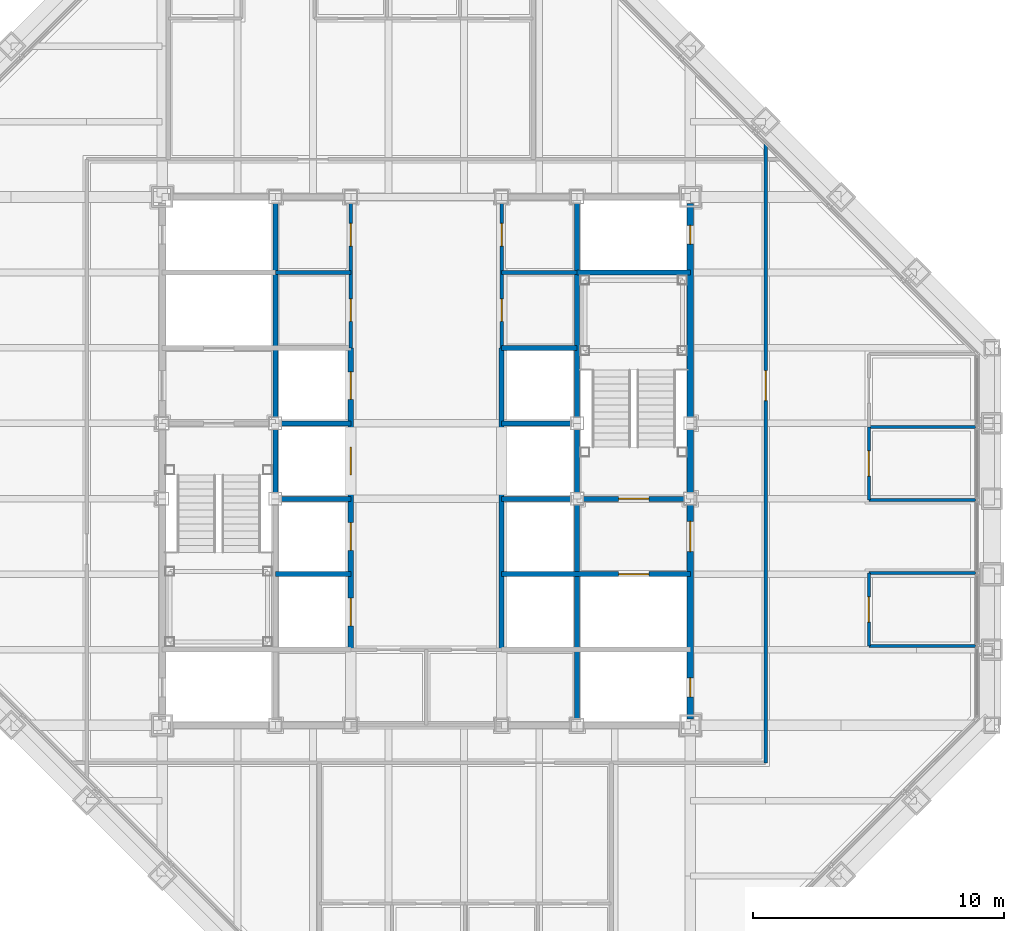
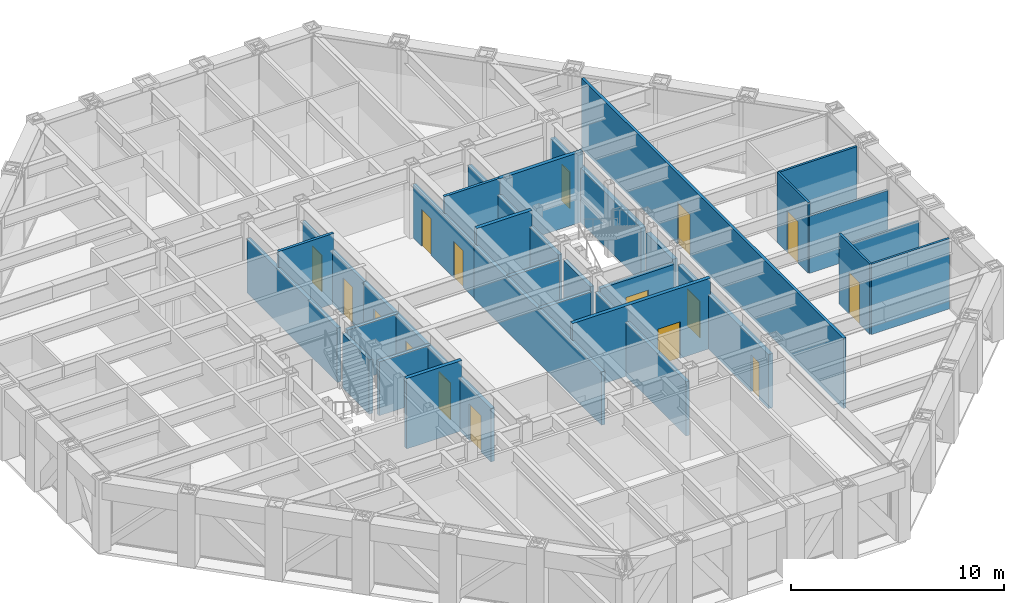
# One storey, part 12 of 16: 30 walls, 16 doors, 16 openings.
"""IFC4 building model written with IfcOpenShell, lengths in metres."""

from ifc_helpers import new_model, si_unit, direction, frame, frame_2d, origin, place, context, subcontext, project, spatial, rectangle, extrude, material, layer, layer_set, type_object, element, fill, save


model = new_model("IFC4")

# Units and contexts
model_context = context("Model", 3, precision=1e-05, world=origin(), true_north=direction((0.0, 1.0)))
body_context = subcontext(model_context, "Body", "Model", "MODEL_VIEW")
ifc_project = project(units=[si_unit("LENGTHUNIT", "METRE"), si_unit("AREAUNIT", "SQUARE_METRE"), si_unit("VOLUMEUNIT", "CUBIC_METRE"), si_unit("PLANEANGLEUNIT", "RADIAN"), si_unit("MASSUNIT", "GRAM", prefix="KILO")], contexts=[model_context])

# Site, building, storey
site_placement = place(None, origin())
site = spatial("IfcSite", under=ifc_project, at=site_placement, CompositionType="ELEMENT")
building_placement = place(site_placement, origin())
building = spatial("IfcBuilding", under=site, at=building_placement, Name="Chuquiago Exchange Tower", CompositionType="ELEMENT")
storey_placement = place(building_placement, frame((0.0, 0.0, 247.5)))
storey = spatial("IfcBuildingStorey", under=building, at=storey_placement, Name="L55", CompositionType="ELEMENT", Elevation=247.5)

# Wall, openings, doors
ifc_material_1 = material(Name="Concrete masonry, fully grouted", Category="masonry")
ifc_layer_1 = layer(ifc_material_1, 0.25)
ifc_layer_set_1 = layer_set([ifc_layer_1], Name="W1 core wall 250")
wall_type_1 = type_object("IfcWallType", Name="W1 core wall 250", PredefinedType="SOLIDWALL", material=ifc_layer_set_1)
wall_1_placement = place(storey_placement, frame((33.0, 12.25, 0.0), z_axis=(0.0, 0.0, 1.0), x_axis=(0.0, 1.0, 0.0)))
wall_1 = element("IfcWall", 1, at=wall_1_placement, inside=storey, type_object=wall_type_1, Name="CW-L55-25-0", PredefinedType="SOLIDWALL", context=body_context, shape_type="SweptSolid", body=[
    extrude(rectangle(XDim=8.5, YDim=0.25, at=frame_2d((4.25, 0.0))), origin(), (0.0, 0.0, 1.0), 3.11279296875),
])
opening_1_placement = place(wall_1_placement, frame((6.64990234375, 0.0, 0.0)))
opening_1 = element("IfcOpeningElement", 2, at=opening_1_placement, cuts=wall_1, Name="Opening L55-004", PredefinedType="OPENING", context=body_context, shape_type="SweptSolid", body=[
    extrude(rectangle(XDim=1.199951171875, YDim=2.10009765625, at=frame_2d((0.60009765625, 1.050048828125))), frame((0.0, 0.135009765625, 0.0), z_axis=(0.0, -1.0, 0.0), x_axis=(1.0, 0.0, 0.0)), (0.0, 0.0, 1.0), 0.27001953125),
])
opening_2_placement = place(wall_1_placement, frame((0.875, 0.0, 0.0)))
opening_2 = element("IfcOpeningElement", 3, at=opening_2_placement, cuts=wall_1, Name="Opening L55-009", PredefinedType="OPENING", context=body_context, shape_type="SweptSolid", body=[
    extrude(rectangle(XDim=0.75, YDim=2.10009765625, at=frame_2d((0.375, 1.050048828125))), frame((0.0, 0.135009765625, 0.0), z_axis=(0.0, -1.0, 0.0), x_axis=(1.0, 0.0, 0.0)), (0.0, 0.0, 1.0), 0.27001953125),
])
ifc_material_2 = material(Name="Steel door, painted", Category="steel")
door_type_1 = type_object("IfcDoorType", Name="D5 firefighting lobby door 1200x2100", OperationType="SINGLE_SWING_LEFT", PredefinedType="DOOR", material=ifc_material_2)
door_1_placement = place(opening_1_placement, origin())
door_1 = element("IfcDoor", 4, at=door_1_placement, inside=storey, type_object=door_type_1, Name="Firefighting lobby 2 door", OperationType="SINGLE_SWING_RIGHT", OverallHeight=2.10009765625, OverallWidth=1.199951171875, PredefinedType="DOOR", context=body_context, shape_type="SweptSolid", body=[
    extrude(rectangle(XDim=1.199951171875, YDim=2.10009765625, at=frame_2d((0.60009765625, 1.050048828125))), frame((0.0, 0.02490234375, 0.0), z_axis=(0.0, -1.0, 0.0), x_axis=(1.0, 0.0, 0.0)), (0.0, 0.0, 1.0), 0.050048828125),
])
fill(opening_1, door_1)
ifc_material_3 = material(Name="Steel door, painted", Category="steel")
door_type_2 = type_object("IfcDoorType", Name="D6 riser access door 750x2100", OperationType="SINGLE_SWING_LEFT", PredefinedType="DOOR", material=ifc_material_3)
door_2_placement = place(opening_2_placement, frame((0.75, 0.0, 0.0), z_axis=(0.0, 0.0, 1.0), x_axis=(-1.0, 0.0, 0.0)))
door_2 = element("IfcDoor", 5, at=door_2_placement, inside=storey, type_object=door_type_2, Name="Riser RE1 door", OperationType="SINGLE_SWING_RIGHT", OverallHeight=2.10009765625, OverallWidth=0.75, PredefinedType="DOOR", context=body_context, shape_type="SweptSolid", body=[
    extrude(rectangle(XDim=0.75, YDim=2.10009765625, at=frame_2d((0.375, 1.050048828125))), frame((0.0, 0.02490234375, 0.0), z_axis=(0.0, -1.0, 0.0), x_axis=(1.0, 0.0, 0.0)), (0.0, 0.0, 1.0), 0.050048828125),
])
fill(opening_2, door_2)

# Wall
wall_2_placement = place(storey_placement, frame((33.0, 21.25, 0.0), z_axis=(0.0, 0.0, 1.0), x_axis=(0.0, 1.0, 0.0)))
element("IfcWall", 6, at=wall_2_placement, inside=storey, type_object=wall_type_1, Name="CW-L55-25-1", PredefinedType="SOLIDWALL", context=body_context, shape_type="SweptSolid", body=[
    extrude(rectangle(XDim=2.5, YDim=0.25, at=frame_2d((1.25, 0.0))), origin(), (0.0, 0.0, 1.0), 3.11279296875),
])

# Wall, opening, door
wall_3_placement = place(storey_placement, frame((33.0, 24.25, 0.0), z_axis=(0.0, 0.0, 1.0), x_axis=(0.0, 1.0, 0.0)))
wall_3 = element("IfcWall", 7, at=wall_3_placement, inside=storey, type_object=wall_type_1, Name="CW-L55-25-2", PredefinedType="SOLIDWALL", context=body_context, shape_type="SweptSolid", body=[
    extrude(rectangle(XDim=8.5, YDim=0.25, at=frame_2d((4.25, 0.0))), origin(), (0.0, 0.0, 1.0), 3.11279296875),
])
opening_3_placement = place(wall_3_placement, frame((6.875, 0.0, 0.0)))
opening_3 = element("IfcOpeningElement", 8, at=opening_3_placement, cuts=wall_3, Name="Opening L55-010", PredefinedType="OPENING", context=body_context, shape_type="SweptSolid", body=[
    extrude(rectangle(XDim=0.75, YDim=2.10009765625, at=frame_2d((0.375, 1.050048828125))), frame((0.0, 0.135009765625, 0.0), z_axis=(0.0, -1.0, 0.0), x_axis=(1.0, 0.0, 0.0)), (0.0, 0.0, 1.0), 0.27001953125),
])
door_3_placement = place(opening_3_placement, frame((0.75, 0.0, 0.0), z_axis=(0.0, 0.0, 1.0), x_axis=(-1.0, 0.0, 0.0)))
door_3 = element("IfcDoor", 9, at=door_3_placement, inside=storey, type_object=door_type_2, Name="Riser RE2 door", OperationType="SINGLE_SWING_LEFT", OverallHeight=2.10009765625, OverallWidth=0.75, PredefinedType="DOOR", context=body_context, shape_type="SweptSolid", body=[
    extrude(rectangle(XDim=0.75, YDim=2.10009765625, at=frame_2d((0.375, 1.050048828125))), frame((0.0, 0.02490234375, 0.0), z_axis=(0.0, -1.0, 0.0), x_axis=(1.0, 0.0, 0.0)), (0.0, 0.0, 1.0), 0.050048828125),
])
fill(opening_3, door_3)

ifc_material_4 = material(Name="Gypsum board on steel studs, acoustic insulation", Category="steel")
ifc_layer_2 = layer(ifc_material_4, 0.14990234375)
ifc_layer_set_2 = layer_set([ifc_layer_2], Name="W11 corridor wall 150")
wall_type_2 = type_object("IfcWallType", Name="W11 corridor wall 150", PredefinedType="PARTITIONING", material=ifc_layer_set_2)
wall_4_placement = place(storey_placement, frame((36.0, 10.5, 0.0), z_axis=(0.0, 0.0, 1.0), x_axis=(0.0, 1.0, 0.0)))
wall_4 = element("IfcWall", 10, at=wall_4_placement, inside=storey, type_object=wall_type_2, Name="PW-L55-CE", PredefinedType="PARTITIONING", context=body_context, shape_type="SweptSolid", body=[
    extrude(rectangle(XDim=24.614501953125, YDim=0.14990234375, at=frame_2d((12.30712890625, 0.0))), origin(), (0.0, 0.0, 1.0), 4.0400390625),
])
opening_4_placement = place(wall_4_placement, frame((14.39990234375, 0.0, 0.0)))
opening_4 = element("IfcOpeningElement", 11, at=opening_4_placement, cuts=wall_4, Name="Opening L55-040", PredefinedType="OPENING", context=body_context, shape_type="SweptSolid", body=[
    extrude(rectangle(XDim=1.199951171875, YDim=2.39990234375, at=frame_2d((0.60009765625, 1.199951171875))), frame((0.0, 0.0849609375, 0.0), z_axis=(0.0, -1.0, 0.0), x_axis=(1.0, 0.0, 0.0)), (0.0, 0.0, 1.0), 0.169921875),
])
ifc_material_5 = material(Name="Timber door, laminate faced", Category="wood")
door_type_3 = type_object("IfcDoorType", Name="D13 suite entrance door 1200x2400", OperationType="SINGLE_SWING_LEFT", PredefinedType="DOOR", material=ifc_material_5)
door_4_placement = place(opening_4_placement, frame((1.199951171875, 0.0, 0.0), z_axis=(0.0, 0.0, 1.0), x_axis=(-1.0, 0.0, 0.0)))
door_4 = element("IfcDoor", 12, at=door_4_placement, inside=storey, type_object=door_type_3, Name="East suite entrance door", OperationType="SINGLE_SWING_LEFT", OverallHeight=2.39990234375, OverallWidth=1.199951171875, PredefinedType="DOOR", context=body_context, shape_type="SweptSolid", body=[
    extrude(rectangle(XDim=1.199951171875, YDim=2.39990234375, at=frame_2d((0.60009765625, 1.199951171875))), frame((0.0, 0.02490234375, 0.0), z_axis=(0.0, -1.0, 0.0), x_axis=(1.0, 0.0, 0.0)), (0.0, 0.0, 1.0), 0.050048828125),
])
fill(opening_4, door_4)

# Walls
ifc_material_6 = material(Name="Concrete masonry, fully grouted", Category="masonry")
ifc_layer_3 = layer(ifc_material_6, 0.199951171875)
ifc_layer_set_3 = layer_set([ifc_layer_3], Name="W2 shaft wall 200")
wall_type_3 = type_object("IfcWallType", Name="W2 shaft wall 200", PredefinedType="SOLIDWALL", material=ifc_layer_set_3)
for number, where, z_axis, x_axis, name in (
    (13, (16.75, 24.0, 0.0), (0.0, 0.0, 1.0), (1.0, 0.0, 0.0), "CW-L55-05-1"),
    (14, (25.5, 24.0, 0.0), (0.0, 0.0, 1.0), (1.0, 0.0, 0.0), "CW-L55-06-0"),
):
    element("IfcWall", number, at=place(storey_placement, frame(where, z_axis=z_axis, x_axis=x_axis)), inside=storey, type_object=wall_type_3, Name=name, PredefinedType="SOLIDWALL", context=body_context, shape_type="SweptSolid", body=[
        extrude(rectangle(XDim=2.75, YDim=0.199951171875, at=frame_2d((1.375, 0.0))), origin(), (0.0, 0.0, 1.0), 3.090087890625),
    ])
wall_5_placement = place(storey_placement, frame((25.5, 27.0, 0.0), z_axis=(0.0, 0.0, 1.0), x_axis=(1.0, 0.0, 0.0)))
element("IfcWall", 15, at=wall_5_placement, inside=storey, type_object=wall_type_3, Name="CW-L55-08-0", PredefinedType="SOLIDWALL", context=body_context, shape_type="SweptSolid", body=[
    extrude(rectangle(XDim=3.0, YDim=0.199951171875, at=frame_2d((1.5, 0.0))), origin(), (0.0, 0.0, 1.0), 4.0400390625),
])
wall_6_placement = place(storey_placement, frame((28.5, 30.0, 0.0), z_axis=(0.0, 0.0, 1.0), x_axis=(1.0, 0.0, 0.0)))
element("IfcWall", 16, at=wall_6_placement, inside=storey, type_object=wall_type_3, Name="CW-L55-10-0", PredefinedType="SOLIDWALL", context=body_context, shape_type="SweptSolid", body=[
    extrude(rectangle(XDim=4.5, YDim=0.199951171875, at=frame_2d((2.25, 0.0))), origin(), (0.0, 0.0, 1.0), 4.0400390625),
])
wall_7_placement = place(storey_placement, frame((16.5, 21.25, 0.0), z_axis=(0.0, 0.0, 1.0), x_axis=(0.0, 1.0, 0.0)))
element("IfcWall", 17, at=wall_7_placement, inside=storey, type_object=wall_type_3, Name="CW-L55-13-1", PredefinedType="SOLIDWALL", context=body_context, shape_type="SweptSolid", body=[
    extrude(rectangle(XDim=2.5, YDim=0.199951171875, at=frame_2d((1.25, 0.0))), origin(), (0.0, 0.0, 1.0), 3.11279296875),
])
wall_8_placement = place(storey_placement, frame((16.5, 24.25, 0.0), z_axis=(0.0, 0.0, 1.0), x_axis=(0.0, 1.0, 0.0)))
element("IfcWall", 18, at=wall_8_placement, inside=storey, type_object=wall_type_3, Name="CW-L55-13-2", PredefinedType="SOLIDWALL", context=body_context, shape_type="SweptSolid", body=[
    extrude(rectangle(XDim=8.5, YDim=0.199951171875, at=frame_2d((4.25, 0.0))), origin(), (0.0, 0.0, 1.0), 3.11279296875),
])
wall_9_placement = place(storey_placement, frame((16.5, 18.0, 0.0), z_axis=(0.0, 0.0, 1.0), x_axis=(1.0, 0.0, 0.0)))
element("IfcWall", 19, at=wall_9_placement, inside=storey, type_object=wall_type_3, Name="CW-L55-14-0", PredefinedType="SOLIDWALL", context=body_context, shape_type="SweptSolid", body=[
    extrude(rectangle(XDim=3.0, YDim=0.199951171875, at=frame_2d((1.5, 0.0))), origin(), (0.0, 0.0, 1.0), 4.0400390625),
])

# Wall, opening, door
wall_10_placement = place(storey_placement, frame((25.5, 18.0, 0.0), z_axis=(0.0, 0.0, 1.0), x_axis=(1.0, 0.0, 0.0)))
wall_10 = element("IfcWall", 20, at=wall_10_placement, inside=storey, type_object=wall_type_3, Name="CW-L55-15-0", PredefinedType="SOLIDWALL", context=body_context, shape_type="SweptSolid", body=[
    extrude(rectangle(XDim=7.5, YDim=0.199951171875, at=frame_2d((3.75, 0.0))), origin(), (0.0, 0.0, 1.0), 4.0400390625),
])
opening_5_placement = place(wall_10_placement, frame((4.64990234375, 0.0, 0.0)))
opening_5 = element("IfcOpeningElement", 21, at=opening_5_placement, cuts=wall_10, Name="Opening L55-006", PredefinedType="OPENING", context=body_context, shape_type="SweptSolid", body=[
    extrude(rectangle(XDim=1.199951171875, YDim=2.10009765625, at=frame_2d((0.60009765625, 1.050048828125))), frame((0.0, 0.10986328125, 0.0), z_axis=(0.0, -1.0, 0.0), x_axis=(1.0, 0.0, 0.0)), (0.0, 0.0, 1.0), 0.219970703125),
])
ifc_material_7 = material(Name="Stainless steel lift landing door", Category="steel")
door_type_4 = type_object("IfcDoorType", Name="LD2 firefighting lift landing door 1200x2100", OperationType="DOUBLE_DOOR_SLIDING", PredefinedType="DOOR", material=ifc_material_7)
door_5_placement = place(opening_5_placement, origin())
door_5 = element("IfcDoor", 22, at=door_5_placement, inside=storey, type_object=door_type_4, Name="Firefighting lift FL2 landing door", OperationType="DOUBLE_DOOR_SLIDING", OverallHeight=2.10009765625, OverallWidth=1.199951171875, PredefinedType="DOOR", context=body_context, shape_type="SweptSolid", body=[
    extrude(rectangle(XDim=1.199951171875, YDim=2.10009765625, at=frame_2d((0.60009765625, 1.050048828125))), frame((0.0, 0.02490234375, 0.0), z_axis=(0.0, -1.0, 0.0), x_axis=(1.0, 0.0, 0.0)), (0.0, 0.0, 1.0), 0.050048828125),
])
fill(opening_5, door_5)

# Walls
for number, where, z_axis, x_axis, name in (
    (23, (16.75, 21.0, 0.0), (0.0, 0.0, 1.0), (1.0, 0.0, 0.0), "CW-L55-16-0"),
    (24, (25.5, 21.0, 0.0), (0.0, 0.0, 1.0), (1.0, 0.0, 0.0), "CW-L55-17-0"),
):
    element("IfcWall", number, at=place(storey_placement, frame(where, z_axis=z_axis, x_axis=x_axis)), inside=storey, type_object=wall_type_3, Name=name, PredefinedType="SOLIDWALL", context=body_context, shape_type="SweptSolid", body=[
        extrude(rectangle(XDim=2.75, YDim=0.199951171875, at=frame_2d((1.375, 0.0))), origin(), (0.0, 0.0, 1.0), 3.090087890625),
    ])

# Wall, opening, door
wall_11_placement = place(storey_placement, frame((28.75, 21.0, 0.0), z_axis=(0.0, 0.0, 1.0), x_axis=(1.0, 0.0, 0.0)))
wall_11 = element("IfcWall", 25, at=wall_11_placement, inside=storey, type_object=wall_type_3, Name="CW-L55-17-1", PredefinedType="SOLIDWALL", context=body_context, shape_type="SweptSolid", body=[
    extrude(rectangle(XDim=4.0, YDim=0.199951171875, at=frame_2d((2.0, 0.0))), origin(), (0.0, 0.0, 1.0), 3.090087890625),
])
opening_6_placement = place(wall_11_placement, frame((1.39990234375, 0.0, 0.0)))
opening_6 = element("IfcOpeningElement", 26, at=opening_6_placement, cuts=wall_11, Name="Opening L55-003", PredefinedType="OPENING", context=body_context, shape_type="SweptSolid", body=[
    extrude(rectangle(XDim=1.199951171875, YDim=2.10009765625, at=frame_2d((0.60009765625, 1.050048828125))), frame((0.0, 0.10986328125, 0.0), z_axis=(0.0, -1.0, 0.0), x_axis=(1.0, 0.0, 0.0)), (0.0, 0.0, 1.0), 0.219970703125),
])
ifc_material_8 = material(Name="Steel door, painted", Category="steel")
door_type_5 = type_object("IfcDoorType", Name="D4 stair door 1200x2100", OperationType="SINGLE_SWING_LEFT", PredefinedType="DOOR", material=ifc_material_8)
door_6_placement = place(opening_6_placement, origin())
door_6 = element("IfcDoor", 27, at=door_6_placement, inside=storey, type_object=door_type_5, Name="Stair ST2 door", OperationType="SINGLE_SWING_LEFT", OverallHeight=2.10009765625, OverallWidth=1.199951171875, PredefinedType="DOOR", context=body_context, shape_type="SweptSolid", body=[
    extrude(rectangle(XDim=1.199951171875, YDim=2.10009765625, at=frame_2d((0.60009765625, 1.050048828125))), frame((0.0, 0.02490234375, 0.0), z_axis=(0.0, -1.0, 0.0), x_axis=(1.0, 0.0, 0.0)), (0.0, 0.0, 1.0), 0.050048828125),
])
fill(opening_6, door_6)

# Wall, openings, doors
wall_12_placement = place(storey_placement, frame((19.5, 15.0, 0.0), z_axis=(0.0, 0.0, 1.0), x_axis=(0.0, 1.0, 0.0)))
wall_12 = element("IfcWall", 28, at=wall_12_placement, inside=storey, type_object=wall_type_3, Name="CW-L55-19-0", PredefinedType="SOLIDWALL", context=body_context, shape_type="SweptSolid", body=[
    extrude(rectangle(XDim=12.0, YDim=0.199951171875, at=frame_2d((6.0, 0.0))), origin(), (0.0, 0.0, 1.0), 3.064697265625),
])
opening_7_placement = place(wall_12_placement, frame((0.949951171875, 0.0, 0.0)))
opening_7 = element("IfcOpeningElement", 29, at=opening_7_placement, cuts=wall_12, Name="Opening L55-017", PredefinedType="OPENING", context=body_context, shape_type="SweptSolid", body=[
    extrude(rectangle(XDim=1.10009765625, YDim=2.10009765625, at=frame_2d((0.550048828125, 1.050048828125))), frame((0.0, 0.10986328125, 0.0), z_axis=(0.0, -1.0, 0.0), x_axis=(1.0, 0.0, 0.0)), (0.0, 0.0, 1.0), 0.219970703125),
])
opening_8_placement = place(wall_12_placement, frame((3.949951171875, 0.0, 0.0)))
opening_8 = element("IfcOpeningElement", 30, at=opening_8_placement, cuts=wall_12, Name="Opening L55-018", PredefinedType="OPENING", context=body_context, shape_type="SweptSolid", body=[
    extrude(rectangle(XDim=1.10009765625, YDim=2.10009765625, at=frame_2d((0.550048828125, 1.050048828125))), frame((0.0, 0.10986328125, 0.0), z_axis=(0.0, -1.0, 0.0), x_axis=(1.0, 0.0, 0.0)), (0.0, 0.0, 1.0), 0.219970703125),
])
opening_9_placement = place(wall_12_placement, frame((6.949951171875, 0.0, 0.0)))
opening_9 = element("IfcOpeningElement", 31, at=opening_9_placement, cuts=wall_12, Name="Opening L55-019", PredefinedType="OPENING", context=body_context, shape_type="SweptSolid", body=[
    extrude(rectangle(XDim=1.10009765625, YDim=2.10009765625, at=frame_2d((0.550048828125, 1.050048828125))), frame((0.0, 0.10986328125, 0.0), z_axis=(0.0, -1.0, 0.0), x_axis=(1.0, 0.0, 0.0)), (0.0, 0.0, 1.0), 0.219970703125),
])
opening_10_placement = place(wall_12_placement, frame((9.949951171875, 0.0, 0.0)))
opening_10 = element("IfcOpeningElement", 32, at=opening_10_placement, cuts=wall_12, Name="Opening L55-020", PredefinedType="OPENING", context=body_context, shape_type="SweptSolid", body=[
    extrude(rectangle(XDim=1.10009765625, YDim=2.10009765625, at=frame_2d((0.550048828125, 1.050048828125))), frame((0.0, 0.10986328125, 0.0), z_axis=(0.0, -1.0, 0.0), x_axis=(1.0, 0.0, 0.0)), (0.0, 0.0, 1.0), 0.219970703125),
])
ifc_material_9 = material(Name="Stainless steel lift landing door", Category="steel")
door_type_6 = type_object("IfcDoorType", Name="LD1 lift landing door 1100x2100", OperationType="DOUBLE_DOOR_SLIDING", PredefinedType="DOOR", material=ifc_material_9)
door_7_placement = place(opening_7_placement, origin())
door_7 = element("IfcDoor", 33, at=door_7_placement, inside=storey, type_object=door_type_6, Name="Lift LC1 landing door", OperationType="DOUBLE_DOOR_SLIDING", OverallHeight=2.10009765625, OverallWidth=1.10009765625, PredefinedType="DOOR", context=body_context, shape_type="SweptSolid", body=[
    extrude(rectangle(XDim=1.10009765625, YDim=2.10009765625, at=frame_2d((0.550048828125, 1.050048828125))), frame((0.0, 0.02490234375, 0.0), z_axis=(0.0, -1.0, 0.0), x_axis=(1.0, 0.0, 0.0)), (0.0, 0.0, 1.0), 0.050048828125),
])
fill(opening_7, door_7)
door_8_placement = place(opening_8_placement, origin())
door_8 = element("IfcDoor", 34, at=door_8_placement, inside=storey, type_object=door_type_6, Name="Lift LC2 landing door", OperationType="DOUBLE_DOOR_SLIDING", OverallHeight=2.10009765625, OverallWidth=1.10009765625, PredefinedType="DOOR", context=body_context, shape_type="SweptSolid", body=[
    extrude(rectangle(XDim=1.10009765625, YDim=2.10009765625, at=frame_2d((0.550048828125, 1.050048828125))), frame((0.0, 0.02490234375, 0.0), z_axis=(0.0, -1.0, 0.0), x_axis=(1.0, 0.0, 0.0)), (0.0, 0.0, 1.0), 0.050048828125),
])
fill(opening_8, door_8)
door_9_placement = place(opening_9_placement, origin())
door_9 = element("IfcDoor", 35, at=door_9_placement, inside=storey, type_object=door_type_6, Name="Lift LC3 landing door", OperationType="DOUBLE_DOOR_SLIDING", OverallHeight=2.10009765625, OverallWidth=1.10009765625, PredefinedType="DOOR", context=body_context, shape_type="SweptSolid", body=[
    extrude(rectangle(XDim=1.10009765625, YDim=2.10009765625, at=frame_2d((0.550048828125, 1.050048828125))), frame((0.0, 0.02490234375, 0.0), z_axis=(0.0, -1.0, 0.0), x_axis=(1.0, 0.0, 0.0)), (0.0, 0.0, 1.0), 0.050048828125),
])
fill(opening_9, door_9)
door_10_placement = place(opening_10_placement, origin())
door_10 = element("IfcDoor", 36, at=door_10_placement, inside=storey, type_object=door_type_6, Name="Lift LC4 landing door", OperationType="DOUBLE_DOOR_SLIDING", OverallHeight=2.10009765625, OverallWidth=1.10009765625, PredefinedType="DOOR", context=body_context, shape_type="SweptSolid", body=[
    extrude(rectangle(XDim=1.10009765625, YDim=2.10009765625, at=frame_2d((0.550048828125, 1.050048828125))), frame((0.0, 0.02490234375, 0.0), z_axis=(0.0, -1.0, 0.0), x_axis=(1.0, 0.0, 0.0)), (0.0, 0.0, 1.0), 0.050048828125),
])
fill(opening_10, door_10)

# Walls
wall_13_placement = place(storey_placement, frame((25.5, 15.0, 0.0), z_axis=(0.0, 0.0, 1.0), x_axis=(0.0, 1.0, 0.0)))
element("IfcWall", 37, at=wall_13_placement, inside=storey, type_object=wall_type_3, Name="CW-L55-22-0", PredefinedType="SOLIDWALL", context=body_context, shape_type="SweptSolid", body=[
    extrude(rectangle(XDim=12.0, YDim=0.199951171875, at=frame_2d((6.0, 0.0))), origin(), (0.0, 0.0, 1.0), 3.064697265625),
])
wall_14_placement = place(storey_placement, frame((28.5, 12.25, 0.0), z_axis=(0.0, 0.0, 1.0), x_axis=(0.0, 1.0, 0.0)))
element("IfcWall", 38, at=wall_14_placement, inside=storey, type_object=wall_type_3, Name="CW-L55-24-0", PredefinedType="SOLIDWALL", context=body_context, shape_type="SweptSolid", body=[
    extrude(rectangle(XDim=8.5, YDim=0.199951171875, at=frame_2d((4.25, 0.0))), origin(), (0.0, 0.0, 1.0), 3.11279296875),
])
wall_15_placement = place(storey_placement, frame((28.5, 21.25, 0.0), z_axis=(0.0, 0.0, 1.0), x_axis=(0.0, 1.0, 0.0)))
element("IfcWall", 39, at=wall_15_placement, inside=storey, type_object=wall_type_3, Name="CW-L55-24-1", PredefinedType="SOLIDWALL", context=body_context, shape_type="SweptSolid", body=[
    extrude(rectangle(XDim=2.5, YDim=0.199951171875, at=frame_2d((1.25, 0.0))), origin(), (0.0, 0.0, 1.0), 3.11279296875),
])
wall_16_placement = place(storey_placement, frame((28.5, 24.25, 0.0), z_axis=(0.0, 0.0, 1.0), x_axis=(0.0, 1.0, 0.0)))
element("IfcWall", 40, at=wall_16_placement, inside=storey, type_object=wall_type_3, Name="CW-L55-24-2", PredefinedType="SOLIDWALL", context=body_context, shape_type="SweptSolid", body=[
    extrude(rectangle(XDim=8.5, YDim=0.199951171875, at=frame_2d((4.25, 0.0))), origin(), (0.0, 0.0, 1.0), 3.11279296875),
])

# Wall, openings, doors
ifc_material_10 = material(Name="Gypsum board on steel studs", Category="steel")
ifc_layer_4 = layer(ifc_material_10, 0.14990234375)
ifc_layer_set_4 = layer_set([ifc_layer_4], Name="W3 core partition 150")
wall_type_4 = type_object("IfcWallType", Name="W3 core partition 150", PredefinedType="PARTITIONING", material=ifc_layer_set_4)
wall_17_placement = place(storey_placement, frame((19.5, 27.0, 0.0), z_axis=(0.0, 0.0, 1.0), x_axis=(0.0, 1.0, 0.0)))
wall_17 = element("IfcWall", 41, at=wall_17_placement, inside=storey, type_object=wall_type_4, Name="CW-L55-20-0", PredefinedType="PARTITIONING", context=body_context, shape_type="SweptSolid", body=[
    extrude(rectangle(XDim=5.75, YDim=0.14990234375, at=frame_2d((2.875, 0.0))), origin(), (0.0, 0.0, 1.0), 3.064697265625),
])
opening_11_placement = place(wall_17_placement, frame((1.050048828125, 0.0, 0.0)))
opening_11 = element("IfcOpeningElement", 42, at=opening_11_placement, cuts=wall_17, Name="Opening L55-011", PredefinedType="OPENING", context=body_context, shape_type="SweptSolid", body=[
    extrude(rectangle(XDim=0.89990234375, YDim=2.10009765625, at=frame_2d((0.449951171875, 1.050048828125))), frame((0.0, 0.0849609375, 0.0), z_axis=(0.0, -1.0, 0.0), x_axis=(1.0, 0.0, 0.0)), (0.0, 0.0, 1.0), 0.169921875),
])
opening_12_placement = place(wall_17_placement, frame((4.050048828125, 0.0, 0.0)))
opening_12 = element("IfcOpeningElement", 43, at=opening_12_placement, cuts=wall_17, Name="Opening L55-012", PredefinedType="OPENING", context=body_context, shape_type="SweptSolid", body=[
    extrude(rectangle(XDim=0.89990234375, YDim=2.10009765625, at=frame_2d((0.449951171875, 1.050048828125))), frame((0.0, 0.0849609375, 0.0), z_axis=(0.0, -1.0, 0.0), x_axis=(1.0, 0.0, 0.0)), (0.0, 0.0, 1.0), 0.169921875),
])
ifc_material_11 = material(Name="Timber door, laminate faced", Category="wood")
door_type_7 = type_object("IfcDoorType", Name="D16 core room door 900x2100", OperationType="SINGLE_SWING_LEFT", PredefinedType="DOOR", material=ifc_material_11)
door_11_placement = place(opening_12_placement, origin())
door_11 = element("IfcDoor", 44, at=door_11_placement, inside=storey, type_object=door_type_7, Name="Staff shower room door", OperationType="SINGLE_SWING_RIGHT", OverallHeight=2.10009765625, OverallWidth=0.89990234375, PredefinedType="DOOR", context=body_context, shape_type="SweptSolid", body=[
    extrude(rectangle(XDim=0.89990234375, YDim=2.10009765625, at=frame_2d((0.449951171875, 1.050048828125))), frame((0.0, 0.02490234375, 0.0), z_axis=(0.0, -1.0, 0.0), x_axis=(1.0, 0.0, 0.0)), (0.0, 0.0, 1.0), 0.050048828125),
])
fill(opening_12, door_11)
ifc_material_12 = material(Name="Timber door, laminate faced", Category="wood")
door_type_8 = type_object("IfcDoorType", Name="D7 toilet door 900x2100", OperationType="SINGLE_SWING_LEFT", PredefinedType="DOOR", material=ifc_material_12)
door_12_placement = place(opening_11_placement, origin())
door_12 = element("IfcDoor", 45, at=door_12_placement, inside=storey, type_object=door_type_8, Name="Male WC door", OperationType="SINGLE_SWING_LEFT", OverallHeight=2.10009765625, OverallWidth=0.89990234375, PredefinedType="DOOR", context=body_context, shape_type="SweptSolid", body=[
    extrude(rectangle(XDim=0.89990234375, YDim=2.10009765625, at=frame_2d((0.449951171875, 1.050048828125))), frame((0.0, 0.02490234375, 0.0), z_axis=(0.0, -1.0, 0.0), x_axis=(1.0, 0.0, 0.0)), (0.0, 0.0, 1.0), 0.050048828125),
])
fill(opening_11, door_12)

wall_18_placement = place(storey_placement, frame((25.5, 27.0, 0.0), z_axis=(0.0, 0.0, 1.0), x_axis=(0.0, 1.0, 0.0)))
wall_18 = element("IfcWall", 46, at=wall_18_placement, inside=storey, type_object=wall_type_4, Name="CW-L55-23-0", PredefinedType="PARTITIONING", context=body_context, shape_type="SweptSolid", body=[
    extrude(rectangle(XDim=5.75, YDim=0.14990234375, at=frame_2d((2.875, 0.0))), origin(), (0.0, 0.0, 1.0), 3.064697265625),
])
opening_13_placement = place(wall_18_placement, frame((1.050048828125, 0.0, 0.0)))
opening_13 = element("IfcOpeningElement", 47, at=opening_13_placement, cuts=wall_18, Name="Opening L55-013", PredefinedType="OPENING", context=body_context, shape_type="SweptSolid", body=[
    extrude(rectangle(XDim=0.89990234375, YDim=2.10009765625, at=frame_2d((0.449951171875, 1.050048828125))), frame((0.0, 0.0849609375, 0.0), z_axis=(0.0, -1.0, 0.0), x_axis=(1.0, 0.0, 0.0)), (0.0, 0.0, 1.0), 0.169921875),
])
opening_14_placement = place(wall_18_placement, frame((4.050048828125, 0.0, 0.0)))
opening_14 = element("IfcOpeningElement", 48, at=opening_14_placement, cuts=wall_18, Name="Opening L55-014", PredefinedType="OPENING", context=body_context, shape_type="SweptSolid", body=[
    extrude(rectangle(XDim=0.89990234375, YDim=2.10009765625, at=frame_2d((0.449951171875, 1.050048828125))), frame((0.0, 0.0849609375, 0.0), z_axis=(0.0, -1.0, 0.0), x_axis=(1.0, 0.0, 0.0)), (0.0, 0.0, 1.0), 0.169921875),
])
door_13_placement = place(opening_14_placement, frame((0.89990234375, 0.0, 0.0), z_axis=(0.0, 0.0, 1.0), x_axis=(-1.0, 0.0, 0.0)))
door_13 = element("IfcDoor", 49, at=door_13_placement, inside=storey, type_object=door_type_7, Name="Baby change room door", OperationType="SINGLE_SWING_LEFT", OverallHeight=2.10009765625, OverallWidth=0.89990234375, PredefinedType="DOOR", context=body_context, shape_type="SweptSolid", body=[
    extrude(rectangle(XDim=0.89990234375, YDim=2.10009765625, at=frame_2d((0.449951171875, 1.050048828125))), frame((0.0, 0.02490234375, 0.0), z_axis=(0.0, -1.0, 0.0), x_axis=(1.0, 0.0, 0.0)), (0.0, 0.0, 1.0), 0.050048828125),
])
fill(opening_14, door_13)
door_14_placement = place(opening_13_placement, frame((0.89990234375, 0.0, 0.0), z_axis=(0.0, 0.0, 1.0), x_axis=(-1.0, 0.0, 0.0)))
door_14 = element("IfcDoor", 50, at=door_14_placement, inside=storey, type_object=door_type_8, Name="Female WC door", OperationType="SINGLE_SWING_RIGHT", OverallHeight=2.10009765625, OverallWidth=0.89990234375, PredefinedType="DOOR", context=body_context, shape_type="SweptSolid", body=[
    extrude(rectangle(XDim=0.89990234375, YDim=2.10009765625, at=frame_2d((0.449951171875, 1.050048828125))), frame((0.0, 0.02490234375, 0.0), z_axis=(0.0, -1.0, 0.0), x_axis=(1.0, 0.0, 0.0)), (0.0, 0.0, 1.0), 0.050048828125),
])
fill(opening_13, door_14)

# Walls
for number, where, z_axis, x_axis, name in (
    (51, (16.5, 30.0, 0.0), (0.0, 0.0, 1.0), (1.0, 0.0, 0.0), "CW-L55-WCMS"),
    (52, (25.5, 30.0, 0.0), (0.0, 0.0, 1.0), (1.0, 0.0, 0.0), "CW-L55-WCFS"),
):
    element("IfcWall", number, at=place(storey_placement, frame(where, z_axis=z_axis, x_axis=x_axis)), inside=storey, type_object=wall_type_4, Name=name, PredefinedType="PARTITIONING", context=body_context, shape_type="SweptSolid", body=[
        extrude(rectangle(XDim=3.0, YDim=0.14990234375, at=frame_2d((1.5, 0.0))), origin(), (0.0, 0.0, 1.0), 4.0400390625),
    ])
ifc_material_13 = material(Name="Gypsum board on steel studs", Category="steel")
ifc_layer_5 = layer(ifc_material_13, 0.1201171875)
ifc_layer_set_5 = layer_set([ifc_layer_5], Name="W4 partition 120")
wall_type_5 = type_object("IfcWallType", Name="W4 partition 120", PredefinedType="PARTITIONING", material=ifc_layer_set_5)
wall_19_placement = place(storey_placement, frame((44.347412109375, 15.149169921875, 0.0), z_axis=(0.0, 0.0, 1.0), x_axis=(-1.0, 0.0, 0.0)))
element("IfcWall", 53, at=wall_19_placement, inside=storey, type_object=wall_type_5, Name="PW-L55-E01515", PredefinedType="PARTITIONING", context=body_context, shape_type="SweptSolid", body=[
    extrude(rectangle(XDim=4.247314453125, YDim=0.1201171875, at=frame_2d((2.12353515625, 0.0))), origin(), (0.0, 0.0, 1.0), 4.0400390625),
])
for number, where, z_axis, x_axis, name in (
    (54, (44.347412109375, 18.0498046875, 0.0), (0.0, 0.0, 1.0), (-1.0, 0.0, 0.0), "PW-L55-E01805"),
    (55, (44.347412109375, 20.9501953125, 0.0), (0.0, 0.0, 1.0), (-1.0, 0.0, 0.0), "PW-L55-E02095"),
):
    element("IfcWall", number, at=place(storey_placement, frame(where, z_axis=z_axis, x_axis=x_axis)), inside=storey, type_object=wall_type_5, Name=name, PredefinedType="PARTITIONING", context=body_context, shape_type="SweptSolid", body=[
        extrude(rectangle(XDim=4.247314453125, YDim=0.1201171875, at=frame_2d((2.12353515625, 0.0))), origin(), (0.0, 0.0, 1.0), 3.278076171875),
    ])
wall_20_placement = place(storey_placement, frame((44.347412109375, 23.850830078125, 0.0), z_axis=(0.0, 0.0, 1.0), x_axis=(-1.0, 0.0, 0.0)))
element("IfcWall", 56, at=wall_20_placement, inside=storey, type_object=wall_type_5, Name="PW-L55-E02385", PredefinedType="PARTITIONING", context=body_context, shape_type="SweptSolid", body=[
    extrude(rectangle(XDim=4.247314453125, YDim=0.1201171875, at=frame_2d((2.12353515625, 0.0))), origin(), (0.0, 0.0, 1.0), 4.0400390625),
])

# Wall, opening, door
wall_21_placement = place(storey_placement, frame((40.10009765625, 15.149169921875, 0.0), z_axis=(0.0, 0.0, 1.0), x_axis=(0.0, 1.0, 0.0)))
wall_21 = element("IfcWall", 57, at=wall_21_placement, inside=storey, type_object=wall_type_5, Name="PW-L55-EF01515", PredefinedType="PARTITIONING", context=body_context, shape_type="SweptSolid", body=[
    extrude(rectangle(XDim=2.900634765625, YDim=0.1201171875, at=frame_2d((1.4501953125, 0.0))), origin(), (0.0, 0.0, 1.0), 4.0400390625),
])
opening_15_placement = place(wall_21_placement, frame((0.9501953125, 0.0, 0.0)))
opening_15 = element("IfcOpeningElement", 58, at=opening_15_placement, cuts=wall_21, Name="Opening L55-025", PredefinedType="OPENING", context=body_context, shape_type="SweptSolid", body=[
    extrude(rectangle(XDim=1.0, YDim=2.39990234375, at=frame_2d((0.5, 1.199951171875))), frame((0.0, 0.070068359375, 0.0), z_axis=(0.0, -1.0, 0.0), x_axis=(1.0, 0.0, 0.0)), (0.0, 0.0, 1.0), 0.14013671875),
])
ifc_material_14 = material(Name="Timber door, laminate faced", Category="wood")
door_type_9 = type_object("IfcDoorType", Name="D9 room door 1000x2400", OperationType="SINGLE_SWING_LEFT", PredefinedType="DOOR", material=ifc_material_14)
door_15_placement = place(opening_15_placement, frame((1.0, 0.0, 0.0), z_axis=(0.0, 0.0, 1.0), x_axis=(-1.0, 0.0, 0.0)))
door_15 = element("IfcDoor", 59, at=door_15_placement, inside=storey, type_object=door_type_9, Name="Reception door", OperationType="SINGLE_SWING_RIGHT", OverallHeight=2.39990234375, OverallWidth=1.0, PredefinedType="DOOR", context=body_context, shape_type="SweptSolid", body=[
    extrude(rectangle(XDim=1.0, YDim=2.39990234375, at=frame_2d((0.5, 1.199951171875))), frame((0.0, 0.02490234375, 0.0), z_axis=(0.0, -1.0, 0.0), x_axis=(1.0, 0.0, 0.0)), (0.0, 0.0, 1.0), 0.050048828125),
])
fill(opening_15, door_15)

wall_22_placement = place(storey_placement, frame((40.10009765625, 20.9501953125, 0.0), z_axis=(0.0, 0.0, 1.0), x_axis=(0.0, 1.0, 0.0)))
wall_22 = element("IfcWall", 60, at=wall_22_placement, inside=storey, type_object=wall_type_5, Name="PW-L55-EF02095", PredefinedType="PARTITIONING", context=body_context, shape_type="SweptSolid", body=[
    extrude(rectangle(XDim=2.900634765625, YDim=0.1201171875, at=frame_2d((1.4501953125, 0.0))), origin(), (0.0, 0.0, 1.0), 4.0400390625),
])
opening_16_placement = place(wall_22_placement, frame((0.9501953125, 0.0, 0.0)))
opening_16 = element("IfcOpeningElement", 61, at=opening_16_placement, cuts=wall_22, Name="Opening L55-026", PredefinedType="OPENING", context=body_context, shape_type="SweptSolid", body=[
    extrude(rectangle(XDim=1.0, YDim=2.39990234375, at=frame_2d((0.5, 1.199951171875))), frame((0.0, 0.070068359375, 0.0), z_axis=(0.0, -1.0, 0.0), x_axis=(1.0, 0.0, 0.0)), (0.0, 0.0, 1.0), 0.14013671875),
])
door_16_placement = place(opening_16_placement, frame((1.0, 0.0, 0.0), z_axis=(0.0, 0.0, 1.0), x_axis=(-1.0, 0.0, 0.0)))
door_16 = element("IfcDoor", 62, at=door_16_placement, inside=storey, type_object=door_type_9, Name="Office door", OperationType="SINGLE_SWING_RIGHT", OverallHeight=2.39990234375, OverallWidth=1.0, PredefinedType="DOOR", context=body_context, shape_type="SweptSolid", body=[
    extrude(rectangle(XDim=1.0, YDim=2.39990234375, at=frame_2d((0.5, 1.199951171875))), frame((0.0, 0.02490234375, 0.0), z_axis=(0.0, -1.0, 0.0), x_axis=(1.0, 0.0, 0.0)), (0.0, 0.0, 1.0), 0.050048828125),
])
fill(opening_16, door_16)

save(model, "model.ifc")
